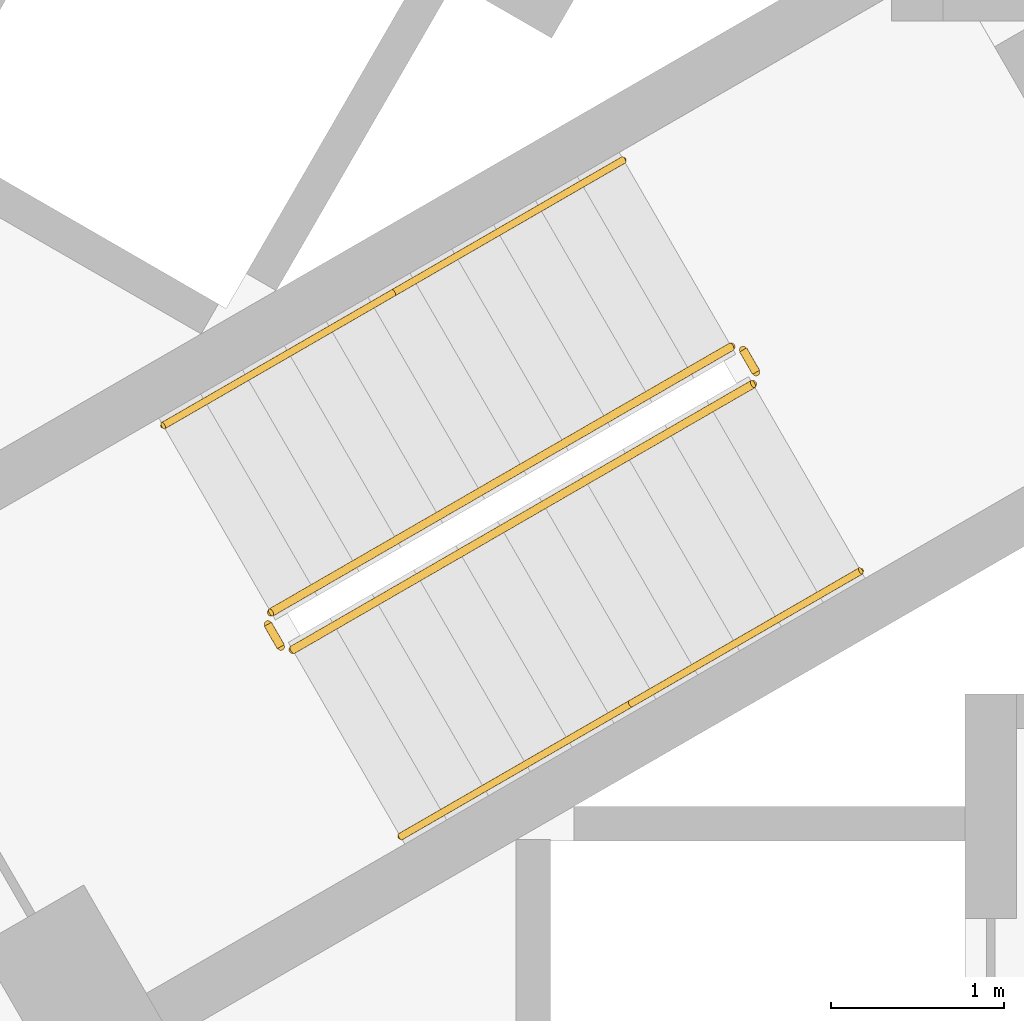
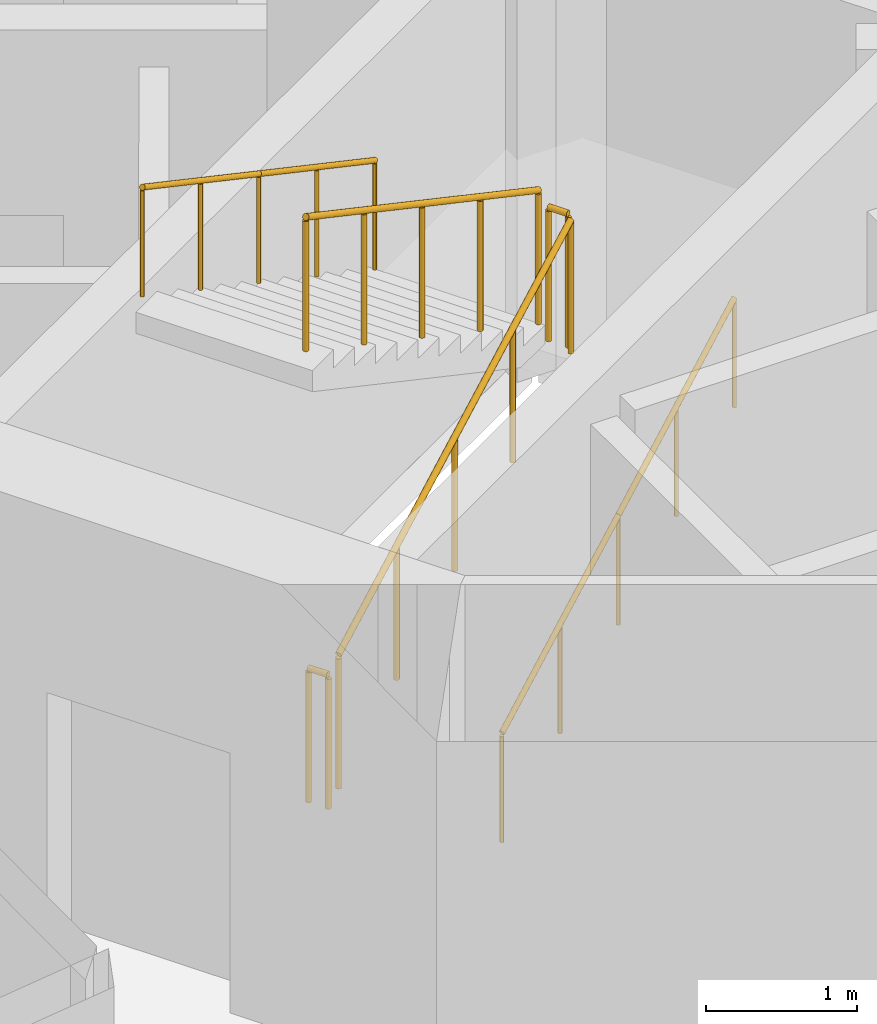
# One storey, part 11 of 15: 8 railings.
"""IFC4 building model written with IfcOpenShell, lengths in metres."""

from ifc_helpers import new_model, si_unit, direction, frame, origin, origin_2d, place, context, subcontext, project, spatial, circle, extrude, material, type_object, element, save


model = new_model("IFC4")

# Units and contexts
model_context = context("Model", 3, precision=1e-05, world=origin(), true_north=direction((0.0, 1.0)))
body_context = subcontext(model_context, "Body", "Model", "MODEL_VIEW")
ifc_project = project(units=[si_unit("LENGTHUNIT", "METRE"), si_unit("AREAUNIT", "SQUARE_METRE"), si_unit("VOLUMEUNIT", "CUBIC_METRE"), si_unit("PLANEANGLEUNIT", "RADIAN"), si_unit("MASSUNIT", "GRAM", prefix="KILO")], contexts=[model_context])

# Site, building, storey
site_placement = place(None, origin())
site = spatial("IfcSite", under=ifc_project, at=site_placement, CompositionType="ELEMENT")
building_placement = place(site_placement, origin())
building = spatial("IfcBuilding", under=site, at=building_placement, Name="Trine Commons Tower", CompositionType="ELEMENT")
storey_placement = place(building_placement, frame((0.0, 0.0, 256.5)))
storey = spatial("IfcBuildingStorey", under=building, at=storey_placement, Name="L67", CompositionType="ELEMENT", Elevation=256.5)

# Railings
ifc_material_1 = material(Name="Stainless steel balustrade", Category="steel")
railing_type_1 = type_object("IfcRailingType", Name="Stair guard, steel balustrade 1100", PredefinedType="GUARDRAIL", material=ifc_material_1)
railing_1_placement = place(storey_placement, frame((74.80517578125, 59.3564453125, 0.14990234375)))
element("IfcRailing", 1, at=railing_1_placement, inside=storey, type_object=railing_type_1, Name="L67 ST2C stair guard 1", PredefinedType="GUARDRAIL", context=body_context, shape_type="SweptSolid", body=[
    extrude(circle(Radius=0.02392578125, at=origin_2d()), frame((0.0, 0.0, 1.076171875), z_axis=(0.763379768245, 0.440728498818, 0.472239049384), x_axis=(-0.499992328818, 0.866029832698, 0.0)), (0.0, 0.0, 1.0), 3.494384765625),
    extrude(circle(Radius=0.02099609375, at=origin_2d()), origin(), (0.0, 0.0, 1.0), 1.052001953125),
    extrude(circle(Radius=0.02099609375, at=origin_2d()), frame((0.6669921875, 0.385009765625, 0.41259765625)), (0.0, 0.0, 1.0), 1.052001953125),
    extrude(circle(Radius=0.02099609375, at=origin_2d()), frame((1.333740234375, 0.77001953125, 0.8251953125)), (0.0, 0.0, 1.0), 1.052001953125),
    extrude(circle(Radius=0.02099609375, at=origin_2d()), frame((2.00048828125, 1.155029296875, 1.237548828125)), (0.0, 0.0, 1.0), 1.052001953125),
    extrude(circle(Radius=0.02099609375, at=origin_2d()), frame((2.66748046875, 1.5400390625, 1.650146484375)), (0.0, 0.0, 1.0), 1.052001953125),
])
railing_2_placement = place(storey_placement, frame((77.490966796875, 60.96484375, 1.800048828125)))
element("IfcRailing", 2, at=railing_2_placement, inside=storey, type_object=railing_type_1, Name="L67 ST2C stair guard 2", PredefinedType="GUARDRAIL", context=body_context, shape_type="SweptSolid", body=[
    extrude(circle(Radius=0.02392578125, at=origin_2d()), frame((0.0, 0.0, 1.076171875), z_axis=(-0.501036270542, 0.865426285481, 0.0), x_axis=(-0.865426285481, -0.501036270542, 0.0)), (0.0, 0.0, 1.0), 0.150146484375),
    extrude(circle(Radius=0.02099609375, at=origin_2d()), origin(), (0.0, 0.0, 1.0), 1.052001953125),
    extrude(circle(Radius=0.02099609375, at=origin_2d()), frame((-0.0751953125, 0.1298828125, 0.0)), (0.0, 0.0, 1.0), 1.052001953125),
])
railing_3_placement = place(storey_placement, frame((77.34765625, 61.113037109375, 1.949951171875)))
element("IfcRailing", 3, at=railing_3_placement, inside=storey, type_object=railing_type_1, Name="L67 ST2C stair guard 3", PredefinedType="GUARDRAIL", context=body_context, shape_type="SweptSolid", body=[
    extrude(circle(Radius=0.02392578125, at=origin_2d()), frame((0.0, 0.0, 1.076171875), z_axis=(-0.763379768245, -0.440728498818, 0.472239049384), x_axis=(0.499992328818, -0.866029832698, 0.0)), (0.0, 0.0, 1.0), 3.494384765625),
    extrude(circle(Radius=0.02099609375, at=origin_2d()), origin(), (0.0, 0.0, 1.0), 1.052001953125),
    extrude(circle(Radius=0.02099609375, at=origin_2d()), frame((-0.6669921875, -0.385009765625, 0.41259765625)), (0.0, 0.0, 1.0), 1.052001953125),
    extrude(circle(Radius=0.02099609375, at=origin_2d()), frame((-1.333740234375, -0.77001953125, 0.8251953125)), (0.0, 0.0, 1.0), 1.052001953125),
    extrude(circle(Radius=0.02099609375, at=origin_2d()), frame((-2.00048828125, -1.155029296875, 1.237548828125)), (0.0, 0.0, 1.0), 1.052001953125),
    extrude(circle(Radius=0.02099609375, at=origin_2d()), frame((-2.66748046875, -1.5400390625, 1.650146484375)), (0.0, 0.0, 1.0), 1.052001953125),
])
railing_4_placement = place(storey_placement, frame((74.73681640625, 59.374755859375, 0.0)))
element("IfcRailing", 4, at=railing_4_placement, inside=storey, type_object=railing_type_1, Name="L67 ST2C stair guard 4", PredefinedType="GUARDRAIL", context=body_context, shape_type="SweptSolid", body=[
    extrude(circle(Radius=0.02392578125, at=origin_2d()), frame((0.0, 0.0, 1.076171875), z_axis=(-0.499816412211, 0.866131372301, 0.0), x_axis=(-0.866131372301, -0.499816412211, 0.0)), (0.0, 0.0, 1.0), 0.14990234375),
    extrude(circle(Radius=0.02099609375, at=origin_2d()), origin(), (0.0, 0.0, 1.0), 1.052001953125),
    extrude(circle(Radius=0.02099609375, at=origin_2d()), frame((-0.074951171875, 0.1298828125, 0.0)), (0.0, 0.0, 1.0), 1.052001953125),
])
ifc_material_2 = material(Name="Stainless steel handrail", Category="steel")
railing_type_2 = type_object("IfcRailingType", Name="Stair handrail, steel 900", PredefinedType="HANDRAIL", material=ifc_material_2)
railing_5_placement = place(storey_placement, frame((75.43017578125, 58.27392578125, 0.14990234375)))
element("IfcRailing", 5, at=railing_5_placement, inside=storey, type_object=railing_type_2, Name="L67 ST2C stair handrail 1", PredefinedType="HANDRAIL", context=body_context, shape_type="SweptSolid", body=[
    extrude(circle(Radius=0.02099609375, at=origin_2d()), frame((0.0, 0.0, 0.87890625), z_axis=(0.763354580307, 0.440713956853, 0.472293333596), x_axis=(-0.499992328818, 0.866029832698, 0.0)), (0.0, 0.0, 1.0), 1.747314453125),
    extrude(circle(Radius=0.01513671875, at=origin_2d()), origin(), (0.0, 0.0, 1.0), 0.85791015625),
    extrude(circle(Radius=0.01513671875, at=origin_2d()), frame((0.6669921875, 0.385009765625, 0.41259765625)), (0.0, 0.0, 1.0), 0.85791015625),
    extrude(circle(Radius=0.01513671875, at=origin_2d()), frame((1.333740234375, 0.77001953125, 0.8251953125)), (0.0, 0.0, 1.0), 0.85791015625),
])
railing_6_placement = place(storey_placement, frame((76.763916015625, 59.0439453125, 0.97509765625)))
element("IfcRailing", 6, at=railing_6_placement, inside=storey, type_object=railing_type_2, Name="L67 ST2C stair handrail 2", PredefinedType="HANDRAIL", context=body_context, shape_type="SweptSolid", body=[
    extrude(circle(Radius=0.02099609375, at=origin_2d()), frame((0.0, 0.0, 0.87890625), z_axis=(0.76340495495, 0.440743040072, 0.472184759798), x_axis=(-0.499992328818, 0.866029832698, 0.0)), (0.0, 0.0, 1.0), 1.7470703125),
    extrude(circle(Radius=0.01513671875, at=origin_2d()), origin(), (0.0, 0.0, 1.0), 0.85791015625),
    extrude(circle(Radius=0.01513671875, at=origin_2d()), frame((0.6669921875, 0.385009765625, 0.41259765625)), (0.0, 0.0, 1.0), 0.85791015625),
    extrude(circle(Radius=0.01513671875, at=origin_2d()), frame((1.333740234375, 0.77001953125, 0.824951171875)), (0.0, 0.0, 1.0), 0.85791015625),
])
railing_7_placement = place(storey_placement, frame((76.72265625, 62.195556640625, 1.949951171875)))
element("IfcRailing", 7, at=railing_7_placement, inside=storey, type_object=railing_type_2, Name="L67 ST2C stair handrail 3", PredefinedType="HANDRAIL", context=body_context, shape_type="SweptSolid", body=[
    extrude(circle(Radius=0.02099609375, at=origin_2d()), frame((0.0, 0.0, 0.87890625), z_axis=(-0.76340495495, -0.440743040072, 0.472184759798), x_axis=(0.499992328818, -0.866029832698, 0.0)), (0.0, 0.0, 1.0), 1.7470703125),
    extrude(circle(Radius=0.01513671875, at=origin_2d()), origin(), (0.0, 0.0, 1.0), 0.85791015625),
    extrude(circle(Radius=0.01513671875, at=origin_2d()), frame((-0.6669921875, -0.385009765625, 0.41259765625)), (0.0, 0.0, 1.0), 0.85791015625),
    extrude(circle(Radius=0.01513671875, at=origin_2d()), frame((-1.333740234375, -0.77001953125, 0.824951171875)), (0.0, 0.0, 1.0), 0.85791015625),
])
railing_8_placement = place(storey_placement, frame((75.388916015625, 61.425537109375, 2.77490234375)))
element("IfcRailing", 8, at=railing_8_placement, inside=storey, type_object=railing_type_2, Name="L67 ST2C stair handrail 4", PredefinedType="HANDRAIL", context=body_context, shape_type="SweptSolid", body=[
    extrude(circle(Radius=0.02099609375, at=origin_2d()), frame((0.0, 0.0, 0.87890625), z_axis=(-0.763354580307, -0.440713956853, 0.472293333596), x_axis=(0.499992328818, -0.866029832698, 0.0)), (0.0, 0.0, 1.0), 1.747314453125),
    extrude(circle(Radius=0.01513671875, at=origin_2d()), origin(), (0.0, 0.0, 1.0), 0.85791015625),
    extrude(circle(Radius=0.01513671875, at=origin_2d()), frame((-0.6669921875, -0.385009765625, 0.41259765625)), (0.0, 0.0, 1.0), 0.85791015625),
    extrude(circle(Radius=0.01513671875, at=origin_2d()), frame((-1.333740234375, -0.77001953125, 0.8251953125)), (0.0, 0.0, 1.0), 0.85791015625),
])

save(model, "model.ifc")
